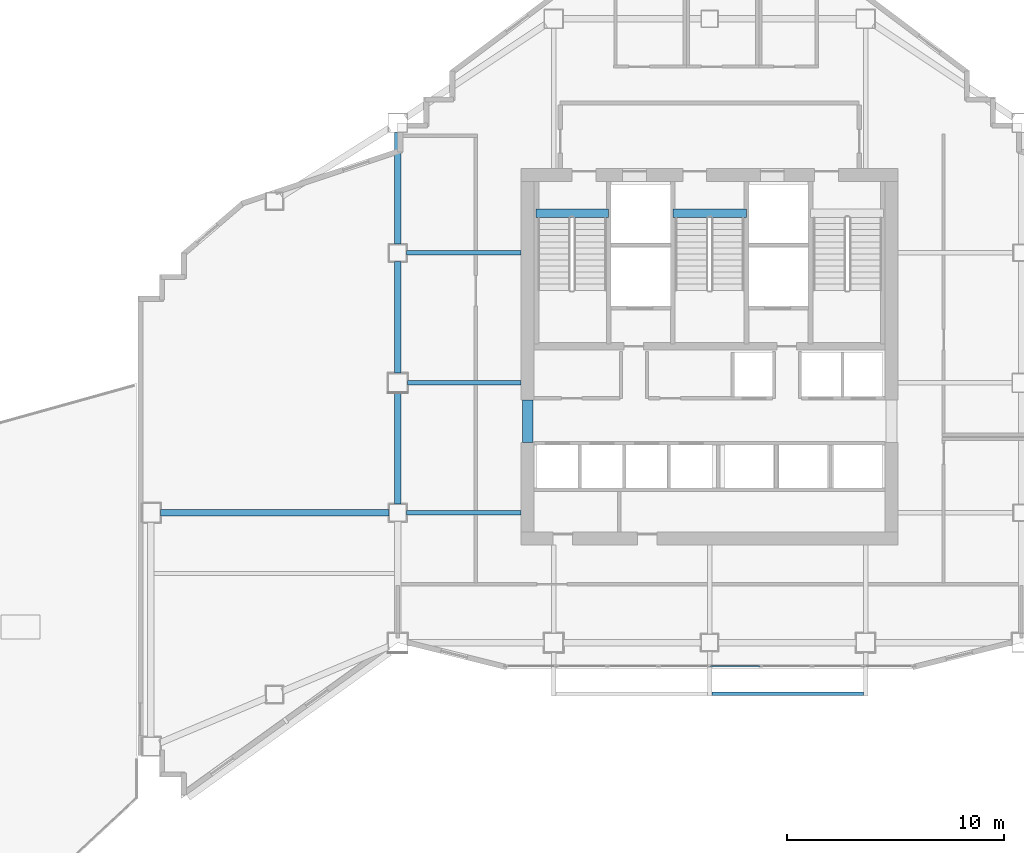
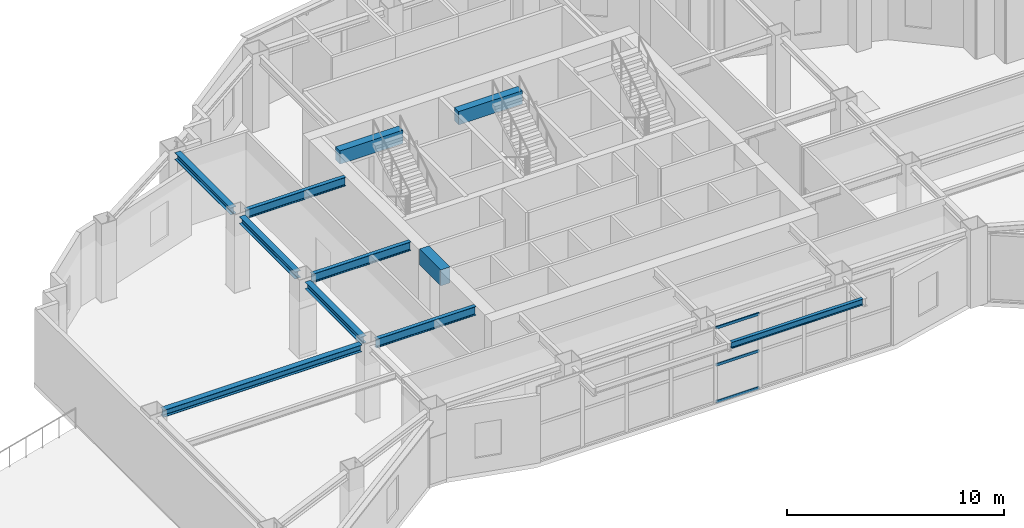
# One storey, part 3 of 16: 11 beams, 3 members, 1 element without a shape of its own.
"""IFC4 building model written with IfcOpenShell, lengths in metres."""

from ifc_helpers import new_model, si_unit, direction, frame, origin, origin_2d, place, context, subcontext, project, spatial, rectangle, hollow_rectangle, i_section, extrude, material, layer, layer_set, material_profile, profile_set, type_object, element, aggregate, save


model = new_model("IFC4")

# Units and contexts
model_context = context("Model", 3, precision=1e-05, world=origin(), true_north=direction((0.0, 1.0)))
body_context = subcontext(model_context, "Body", "Model", "MODEL_VIEW")
ifc_project = project(units=[si_unit("LENGTHUNIT", "METRE"), si_unit("AREAUNIT", "SQUARE_METRE"), si_unit("VOLUMEUNIT", "CUBIC_METRE"), si_unit("PLANEANGLEUNIT", "RADIAN"), si_unit("MASSUNIT", "GRAM", prefix="KILO")], contexts=[model_context])

# Site, building, storey
site_placement = place(None, origin())
site = spatial("IfcSite", under=ifc_project, at=site_placement, CompositionType="ELEMENT")
building_placement = place(site_placement, origin())
building = spatial("IfcBuilding", under=site, at=building_placement, Name="Haolan Belvedere Tower", CompositionType="ELEMENT")
storey_placement = place(building_placement, frame((0.0, 0.0, 164.60009765625)))
storey = spatial("IfcBuildingStorey", under=building, at=storey_placement, Name="L41", CompositionType="ELEMENT", Elevation=164.60009765625)

# Beams
ifc_material_1 = material(Name="Steel Q355B", Category="steel")
ifc_material_profile_1 = material_profile(ifc_material_1, i_section(OverallWidth=0.300048828125, OverallDepth=0.389892578125, WebThickness=0.010009765625, FlangeThickness=0.01611328125, FilletRadius=0.02197265625, at=origin_2d()), Name="Steel Q355B")
ifc_profile_set_1 = profile_set([ifc_material_profile_1], Name="Steel Q355B")
beam_type_1 = type_object("IfcBeamType", Name="BM-HM390x300x10x16", PredefinedType="SPANDREL", material=ifc_profile_set_1)
for number, where, z_axis, x_axis, name in (
    (1, (24.0, 28.0, 4.02490234375), (0.0, 1.0, 0.0), (-1.0, 0.0, 0.0), "L41 spandrel girder TC-T3-W1-MC-T3-MW"),
    (2, (24.0, 34.050048828125, 4.02490234375), (0.0, 1.0, 0.0), (-1.0, 0.0, 0.0), "L41 spandrel girder MC-T3-MW-TC-T3-W2"),
    (3, (24.0, 40.0, 4.02490234375), (0.0, 1.0, 0.0), (-1.0, 0.0, 0.0), "L41 spandrel girder TC-T3-W2-MC-T3-NW"),
):
    element("IfcBeam", number, at=place(storey_placement, frame(where, z_axis=z_axis, x_axis=x_axis)), inside=storey, type_object=beam_type_1, Name=name, PredefinedType="SPANDREL", context=body_context, shape_type="SweptSolid", body=[
        extrude(i_section(OverallWidth=0.300048828125, OverallDepth=0.389892578125, WebThickness=0.010009765625, FlangeThickness=0.01611328125, FilletRadius=0.02197265625, at=origin_2d()), origin(), (0.0, 0.0, 1.0), 5.14990234375),
    ])
beam_1_placement = place(storey_placement, frame((13.050048828125, 27.60009765625, 4.02490234375), z_axis=(1.0, 0.0, 0.0), x_axis=(0.0, 1.0, 0.0)))
element("IfcBeam", 4, at=beam_1_placement, inside=storey, type_object=beam_type_1, Name="L41 spandrel girder MC-T2-MW-TC-T3-W1", PredefinedType="SPANDREL", context=body_context, shape_type="SweptSolid", body=[
    extrude(i_section(OverallWidth=0.300048828125, OverallDepth=0.389892578125, WebThickness=0.010009765625, FlangeThickness=0.01611328125, FilletRadius=0.02197265625, at=origin_2d()), origin(), (0.0, 0.0, 1.0), 10.550048828125),
])
ifc_material_profile_2 = material_profile(ifc_material_1, i_section(OverallWidth=0.175048828125, OverallDepth=0.35009765625, WebThickness=0.007080078125, FlangeThickness=0.010986328125, FilletRadius=0.012939453125, at=origin_2d()), Name="Steel Q355B")
ifc_profile_set_2 = profile_set([ifc_material_profile_2], Name="Steel Q355B")
beam_type_2 = type_object("IfcBeamType", Name="BM-HN350x175x7x11", PredefinedType="JOIST", material=ifc_profile_set_2)
beam_2_placement = place(storey_placement, frame((38.5, 19.239990234375, 3.994873046875), z_axis=(1.0, 0.0, 0.0), x_axis=(0.0, 1.0, 0.0)))
element("IfcBeam", 5, at=beam_2_placement, inside=storey, type_object=beam_type_2, Name="L42 tree-balcony front trimmer beam 2", PredefinedType="BEAM", context=body_context, shape_type="SweptSolid", body=[
    extrude(i_section(OverallWidth=0.175048828125, OverallDepth=0.35009765625, WebThickness=0.007080078125, FlangeThickness=0.010986328125, FilletRadius=0.012939453125, at=origin_2d()), origin(), (0.0, 0.0, 1.0), 7.0),
])
ifc_material_profile_3 = material_profile(ifc_material_1, i_section(OverallWidth=0.199951171875, OverallDepth=0.5, WebThickness=0.010009765625, FlangeThickness=0.01611328125, FilletRadius=0.02001953125, at=origin_2d()), Name="Steel Q355B")
ifc_profile_set_3 = profile_set([ifc_material_profile_3], Name="Steel Q355B")
beam_type_3 = type_object("IfcBeamType", Name="BM-HN500x200x10x16", PredefinedType="BEAM", material=ifc_profile_set_3)
beam_3_placement = place(storey_placement, frame((24.449951171875, 33.60009765625, 3.969970703125), z_axis=(1.0, 0.0, 0.0), x_axis=(0.0, 1.0, 0.0)))
element("IfcBeam", 6, at=beam_3_placement, inside=storey, type_object=beam_type_3, Name="L41 core tie beam from MC-T3-MW", PredefinedType="BEAM", context=body_context, shape_type="SweptSolid", body=[
    extrude(i_section(OverallWidth=0.199951171875, OverallDepth=0.5, WebThickness=0.010009765625, FlangeThickness=0.01611328125, FilletRadius=0.02001953125, at=origin_2d()), origin(), (0.0, 0.0, 1.0), 5.25),
])
for number, where, z_axis, x_axis, name in (
    (7, (24.39990234375, 27.60009765625, 3.969970703125), (1.0, 0.0, 0.0), (0.0, 1.0, 0.0), "L41 core tie beam from TC-T3-W1"),
    (8, (24.39990234375, 39.60009765625, 3.969970703125), (1.0, 0.0, 0.0), (0.0, 1.0, 0.0), "L41 core tie beam from TC-T3-W2"),
):
    element("IfcBeam", number, at=place(storey_placement, frame(where, z_axis=z_axis, x_axis=x_axis)), inside=storey, type_object=beam_type_3, Name=name, PredefinedType="BEAM", context=body_context, shape_type="SweptSolid", body=[
        extrude(i_section(OverallWidth=0.199951171875, OverallDepth=0.5, WebThickness=0.010009765625, FlangeThickness=0.01611328125, FilletRadius=0.02001953125, at=origin_2d()), origin(), (0.0, 0.0, 1.0), 5.300048828125),
    ])
ifc_material_2 = material(Name="Concrete C50/60", Category="concrete")
ifc_material_profile_4 = material_profile(ifc_material_2, rectangle(XDim=0.39990234375, YDim=0.75, at=origin_2d()), Name="Concrete C50/60")
ifc_profile_set_4 = profile_set([ifc_material_profile_4], Name="Concrete C50/60")
beam_type_4 = type_object("IfcBeamType", Name="BM-RC400x750", PredefinedType="T_BEAM", material=ifc_profile_set_4)
beam_4_placement = place(storey_placement, frame((30.3798828125, 41.429931640625, 4.02490234375), z_axis=(1.0, 0.0, 0.0), x_axis=(0.0, 1.0, 0.0)))
element("IfcBeam", 9, at=beam_4_placement, inside=storey, type_object=beam_type_4, Name="L42 stair ST1 RC header trimmer beam", PredefinedType="BEAM", context=body_context, shape_type="SweptSolid", body=[
    extrude(rectangle(XDim=0.39990234375, YDim=0.75, at=origin_2d()), origin(), (0.0, 0.0, 1.0), 3.360107421875),
])
beam_5_placement = place(storey_placement, frame((36.699951171875, 41.429931640625, 4.02490234375), z_axis=(1.0, 0.0, 0.0), x_axis=(0.0, 1.0, 0.0)))
element("IfcBeam", 10, at=beam_5_placement, inside=storey, type_object=beam_type_4, Name="L42 stair ST3 RC header trimmer beam", PredefinedType="BEAM", context=body_context, shape_type="SweptSolid", body=[
    extrude(rectangle(XDim=0.39990234375, YDim=0.75, at=origin_2d()), origin(), (0.0, 0.0, 1.0), 3.400146484375),
])
ifc_material_3 = material(Name="Concrete C60/75", Category="concrete")
ifc_material_profile_5 = material_profile(ifc_material_3, rectangle(XDim=0.5, YDim=0.89990234375, at=origin_2d()), Name="Concrete C60/75")
ifc_profile_set_5 = profile_set([ifc_material_profile_5], Name="Concrete C60/75")
beam_type_5 = type_object("IfcBeamType", Name="BM-RC500x900", PredefinedType="LINTEL", material=ifc_profile_set_5)
beam_6_placement = place(storey_placement, frame((30.0, 30.85009765625, 3.77001953125), z_axis=(0.0, 1.0, 0.0), x_axis=(-1.0, 0.0, 0.0)))
element("IfcBeam", 11, at=beam_6_placement, inside=storey, type_object=beam_type_5, Name="L41 west core coupling beam CB-01", PredefinedType="LINTEL", context=body_context, shape_type="SweptSolid", body=[
    extrude(rectangle(XDim=0.5, YDim=0.89990234375, at=origin_2d()), origin(), (0.0, 0.0, 1.0), 1.949951171875),
])

# Curtain wall, members
ifc_material_4 = material(Name="Anodised champagne-silver aluminium 6063-T6 and Low-E glass", Category="aluminium")
ifc_layer = layer(ifc_material_4, 0.195068359375, Name="Anodised champagne-silver aluminium 6063-T6 and Low-E glass")
ifc_layer_set = layer_set([ifc_layer], Name="Anodised champagne-silver aluminium 6063-T6 and Low-E glass")
curtain_wall_type = type_object("IfcCurtainWallType", Name="CW-SYS-06", PredefinedType="NOTDEFINED", material=ifc_layer_set)
curtain_wall_placement = place(storey_placement, origin())
curtain_wall = element("IfcCurtainWall", 12, at=curtain_wall_placement, inside=storey, type_object=curtain_wall_type, Name="L41 CW-SYS-06 ribbon curtain wall 1.1", PredefinedType="NOTDEFINED")
ifc_material_5 = material(Name="Anodised aluminium 6063-T6", Category="aluminium")
ifc_material_profile_6 = material_profile(ifc_material_5, hollow_rectangle(XDim=0.06494140625, YDim=0.14990234375, WallThickness=0.00390625, at=origin_2d()), Name="Anodised aluminium 6063-T6")
ifc_profile_set_6 = profile_set([ifc_material_profile_6], Name="Anodised aluminium 6063-T6")
member_type = type_object("IfcMemberType", Name="CW-SYS-06-TRN", PredefinedType="USERDEFINED", material=ifc_profile_set_6)
member_1_placement = place(storey_placement, frame((38.43505859375, 20.52001953125, 0.032470703125), z_axis=(1.0, 0.0, 0.0), x_axis=(0.0, 1.0, 0.0)))
member_1 = element("IfcMember", 13, at=member_1_placement, type_object=member_type, Name="CW-06 transom 5.1", ObjectType="TRANSOM", PredefinedType="USERDEFINED", context=body_context, shape_type="SweptSolid", body=[
    extrude(hollow_rectangle(XDim=0.06494140625, YDim=0.14990234375, WallThickness=0.00390625, at=origin_2d()), origin(), (0.0, 0.0, 1.0), 2.291259765625),
])
member_2_placement = place(storey_placement, frame((38.43505859375, 20.52001953125, 2.10986328125), z_axis=(1.0, 0.0, 0.0), x_axis=(0.0, 1.0, 0.0)))
member_2 = element("IfcMember", 14, at=member_2_placement, type_object=member_type, Name="CW-06 transom 5.2", ObjectType="TRANSOM", PredefinedType="USERDEFINED", context=body_context, shape_type="SweptSolid", body=[
    extrude(hollow_rectangle(XDim=0.06494140625, YDim=0.14990234375, WallThickness=0.00390625, at=origin_2d()), origin(), (0.0, 0.0, 1.0), 2.291259765625),
])
member_3_placement = place(storey_placement, frame((38.43505859375, 20.52001953125, 4.1875), z_axis=(1.0, 0.0, 0.0), x_axis=(0.0, 1.0, 0.0)))
member_3 = element("IfcMember", 15, at=member_3_placement, type_object=member_type, Name="CW-06 transom 5.3", ObjectType="TRANSOM", PredefinedType="USERDEFINED", context=body_context, shape_type="SweptSolid", body=[
    extrude(hollow_rectangle(XDim=0.06494140625, YDim=0.14990234375, WallThickness=0.00390625, at=origin_2d()), origin(), (0.0, 0.0, 1.0), 2.291259765625),
])
aggregate(curtain_wall, [member_1, member_2, member_3])

save(model, "model.ifc")
